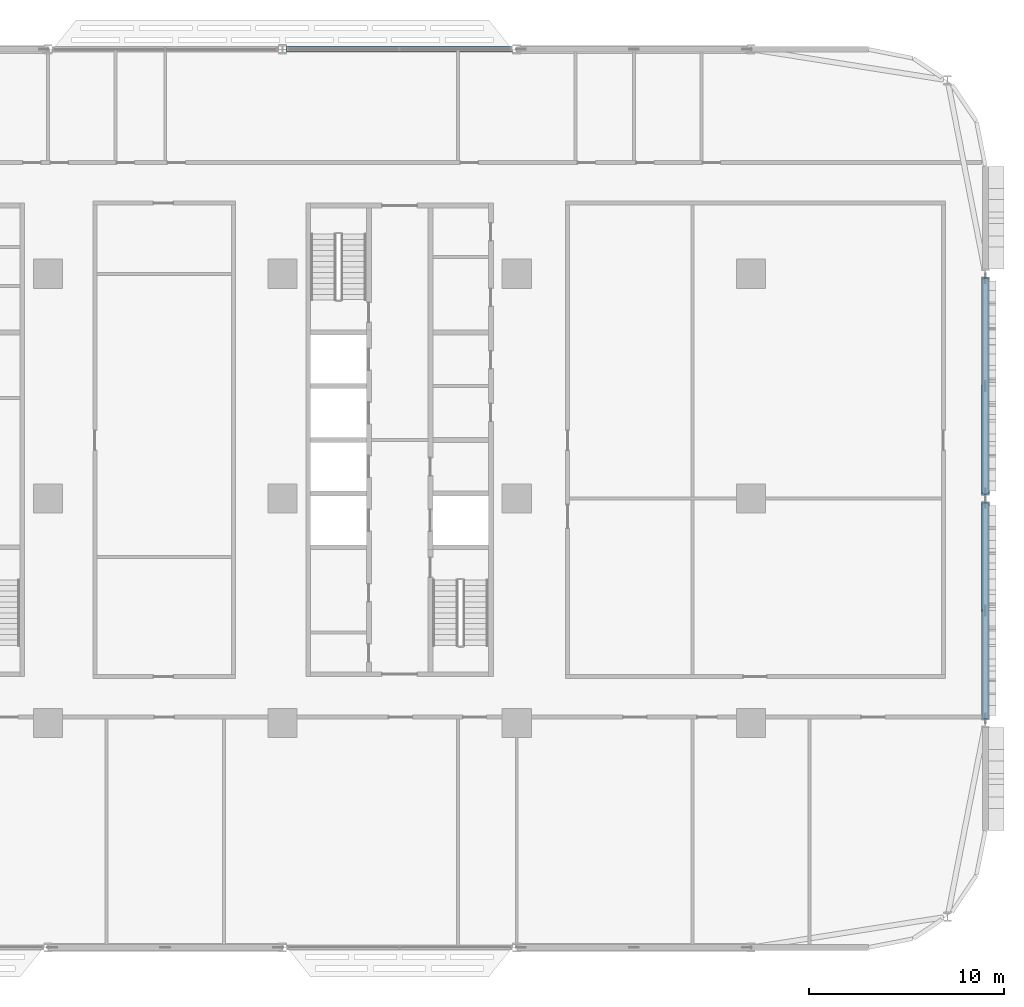
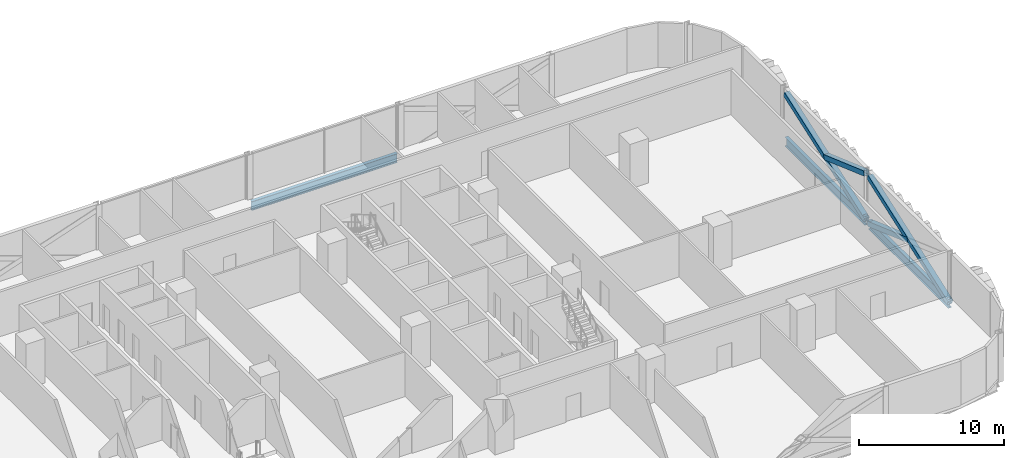
# One storey, part 9 of 29: 4 members, 3 beams.
"""IFC4 building model written with IfcOpenShell, lengths in metres."""

from ifc_helpers import new_model, si_unit, direction, frame, origin, origin_2d, place, context, subcontext, project, spatial, hollow_rectangle, i_section, extrude, material, material_profile, profile_set, type_object, element, save


model = new_model("IFC4")

# Units and contexts
model_context = context("Model", 3, precision=1e-05, world=origin(), true_north=direction((0.0, 1.0)))
body_context = subcontext(model_context, "Body", "Model", "MODEL_VIEW")
ifc_project = project(units=[si_unit("LENGTHUNIT", "METRE"), si_unit("AREAUNIT", "SQUARE_METRE"), si_unit("VOLUMEUNIT", "CUBIC_METRE"), si_unit("PLANEANGLEUNIT", "RADIAN"), si_unit("MASSUNIT", "GRAM", prefix="KILO")], contexts=[model_context])

# Site, building, storey
site_placement = place(None, origin())
site = spatial("IfcSite", under=ifc_project, at=site_placement, CompositionType="ELEMENT")
building_placement = place(site_placement, origin())
building = spatial("IfcBuilding", under=site, at=building_placement, Name="Mahtab Terrace Research Tower", CompositionType="ELEMENT")
storey_placement = place(building_placement, frame((0.0, 0.0, 76.10009765625)))
storey = spatial("IfcBuildingStorey", under=building, at=storey_placement, Name="L17", CompositionType="ELEMENT", Elevation=76.10009765625)

# Members
ifc_material_1 = material(Name="Steel ASTM A500 Gr C", Category="steel")
ifc_material_profile_1 = material_profile(ifc_material_1, hollow_rectangle(XDim=0.406494140625, YDim=0.406494140625, WallThickness=0.01904296875, at=origin_2d()), Name="HSS16X16X3/4")
ifc_profile_set_1 = profile_set([ifc_material_profile_1], Name="Steel ASTM A500 Gr C")
member_type = type_object("IfcMemberType", Name="HSS 16x16x3/4 brace XB161634", PredefinedType="BRACE", material=ifc_profile_set_1)
member_1_placement = place(storey_placement, frame((54.0, -11.262451171875, -0.634033203125), z_axis=(0.0, 0.942189515098, 0.335080464424), x_axis=(-1.0, 0.0, 0.0)))
element("IfcMember", 1, at=member_1_placement, inside=storey, type_object=member_type, Name="Exoskeleton brace L17 22 a", PredefinedType="BRACE", context=body_context, shape_type="SweptSolid", body=[
    extrude(hollow_rectangle(XDim=0.406494140625, YDim=0.406494140625, WallThickness=0.01904296875, at=origin_2d()), origin(), (0.0, 0.0, 1.0), 11.701416015625),
])
member_2_placement = place(storey_placement, frame((54.0, -0.237548828125, -0.634033203125), z_axis=(0.0, -0.942189515098, 0.335080464424), x_axis=(1.0, 0.0, 0.0)))
element("IfcMember", 2, at=member_2_placement, inside=storey, type_object=member_type, Name="Exoskeleton brace L17 22 b1", PredefinedType="BRACE", context=body_context, shape_type="SweptSolid", body=[
    extrude(hollow_rectangle(XDim=0.406494140625, YDim=0.406494140625, WallThickness=0.01904296875, at=origin_2d()), origin(), (0.0, 0.0, 1.0), 5.8505859375),
])
member_3_placement = place(storey_placement, frame((54.0, 0.237548828125, -0.634033203125), z_axis=(0.0, 0.942189515098, 0.335080464424), x_axis=(-1.0, 0.0, 0.0)))
element("IfcMember", 3, at=member_3_placement, inside=storey, type_object=member_type, Name="Exoskeleton brace L17 23 a", PredefinedType="BRACE", context=body_context, shape_type="SweptSolid", body=[
    extrude(hollow_rectangle(XDim=0.406494140625, YDim=0.406494140625, WallThickness=0.01904296875, at=origin_2d()), origin(), (0.0, 0.0, 1.0), 11.701416015625),
])
member_4_placement = place(storey_placement, frame((54.0, 5.75, 1.326416015625), z_axis=(0.0, -0.942189515098, 0.335080464424), x_axis=(1.0, 0.0, 0.0)))
element("IfcMember", 4, at=member_4_placement, inside=storey, type_object=member_type, Name="Exoskeleton brace L17 23 b2", PredefinedType="BRACE", context=body_context, shape_type="SweptSolid", body=[
    extrude(hollow_rectangle(XDim=0.406494140625, YDim=0.406494140625, WallThickness=0.01904296875, at=origin_2d()), origin(), (0.0, 0.0, 1.0), 5.8505859375),
])

# Beams
ifc_material_2 = material(Name="Steel ASTM A992 Gr 50", Category="steel")
ifc_material_profile_2 = material_profile(ifc_material_2, i_section(OverallWidth=0.2666015625, OverallDepth=0.7568359375, WebThickness=0.013916015625, FlangeThickness=0.019287109375, at=origin_2d()), Name="W30X108")
ifc_profile_set_2 = profile_set([ifc_material_profile_2], Name="Steel ASTM A992 Gr 50")
beam_type = type_object("IfcBeamType", Name="W30x108 beam BS30108", PredefinedType="BEAM", material=ifc_profile_set_2)
beam_placement = place(storey_placement, frame((29.787841796875, 23.0, -0.718505859375), z_axis=(-1.0, 0.0, 0.0), x_axis=(0.0, -1.0, 0.0)))
element("IfcBeam", 5, at=beam_placement, inside=storey, type_object=beam_type, Name="Spandrel beam L17 03", PredefinedType="BEAM", context=body_context, shape_type="SweptSolid", body=[
    extrude(i_section(OverallWidth=0.2666015625, OverallDepth=0.7568359375, WebThickness=0.013916015625, FlangeThickness=0.019287109375, at=origin_2d()), origin(), (0.0, 0.0, 1.0), 11.57568359375),
])
for number, where, z_axis, x_axis, name in (
    (6, (54.0, -11.262451171875, -0.718505859375), (0.0, 1.0, 0.0), (-1.0, 0.0, 0.0), "Spandrel beam L17 22"),
    (7, (54.0, 0.237548828125, -0.718505859375), (0.0, 1.0, 0.0), (-1.0, 0.0, 0.0), "Spandrel beam L17 23"),
):
    element("IfcBeam", number, at=place(storey_placement, frame(where, z_axis=z_axis, x_axis=x_axis)), inside=storey, type_object=beam_type, Name=name, PredefinedType="BEAM", context=body_context, shape_type="SweptSolid", body=[
        extrude(i_section(OverallWidth=0.2666015625, OverallDepth=0.7568359375, WebThickness=0.013916015625, FlangeThickness=0.019287109375, at=origin_2d()), origin(), (0.0, 0.0, 1.0), 11.02490234375),
    ])

save(model, "model.ifc")
